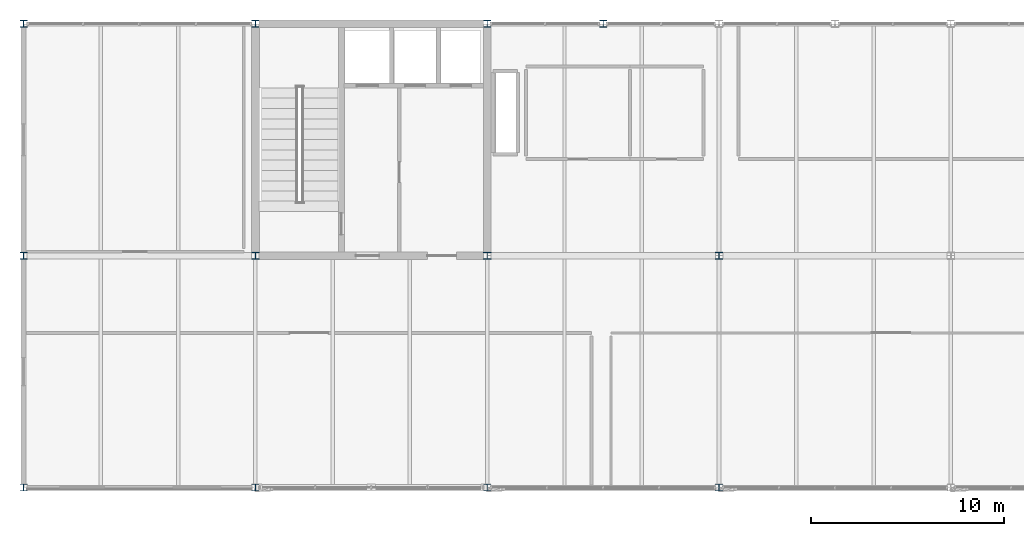
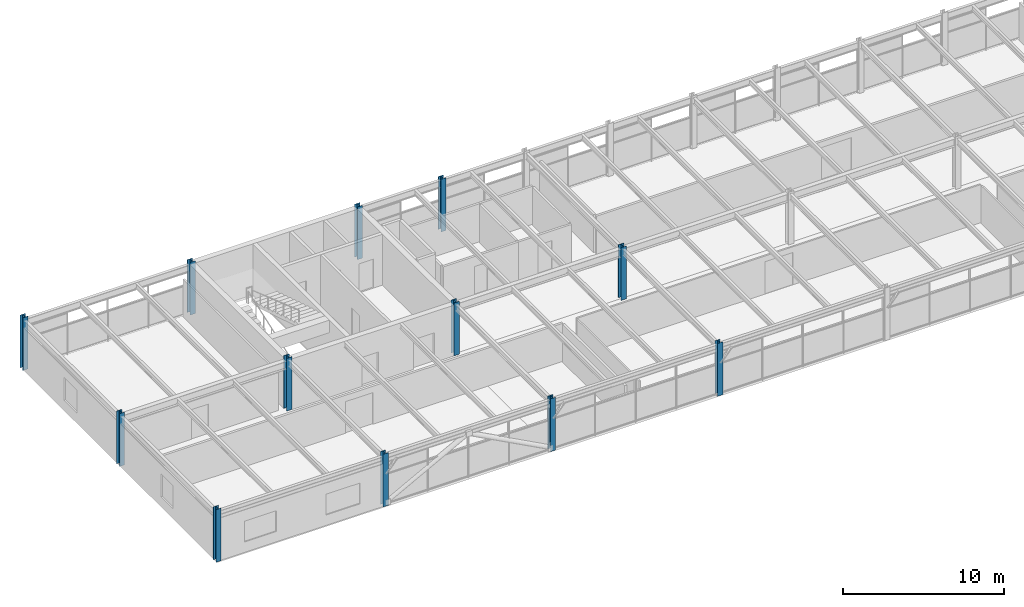
# One storey, part 1 of 40: 12 columns.
"""IFC4 building model written with IfcOpenShell, lengths in metres."""

from ifc_helpers import new_model, si_unit, direction, frame, origin, origin_2d, place, context, subcontext, project, spatial, i_section, extrude, material, material_profile, profile_set, type_object, element, save


model = new_model("IFC4")

# Units and contexts
model_context = context("Model", 3, precision=1e-05, world=origin(), true_north=direction((0.0, 1.0)))
body_context = subcontext(model_context, "Body", "Model", "MODEL_VIEW")
ifc_project = project(units=[si_unit("LENGTHUNIT", "METRE"), si_unit("AREAUNIT", "SQUARE_METRE"), si_unit("VOLUMEUNIT", "CUBIC_METRE"), si_unit("PLANEANGLEUNIT", "RADIAN"), si_unit("MASSUNIT", "GRAM", prefix="KILO")], contexts=[model_context])

# Site, building, storey
site_placement = place(None, origin())
site = spatial("IfcSite", under=ifc_project, at=site_placement, CompositionType="ELEMENT")
building_placement = place(site_placement, origin())
building = spatial("IfcBuilding", under=site, at=building_placement, Name="Girod Span Mobility Hub", CompositionType="ELEMENT")
storey_placement = place(building_placement, frame((0.0, 0.0, 57.60009765625)))
storey = spatial("IfcBuildingStorey", under=building, at=storey_placement, Name="L14", CompositionType="ELEMENT", Elevation=57.60009765625)

# Columns
ifc_material_1 = material(Name="Steel A992 Grade 50", Category="steel")
ifc_material_profile_1 = material_profile(ifc_material_1, i_section(OverallWidth=0.39404296875, OverallDepth=0.375, WebThickness=0.017333984375, FlangeThickness=0.027587890625, FilletRadius=0.01806640625, at=origin_2d()), Name="W14X145")
ifc_profile_set_1 = profile_set([ifc_material_profile_1], Name="Steel A992 Grade 50")
column_type_1 = type_object("IfcColumnType", Name="COL-STL-W14X145", PredefinedType="COLUMN", material=ifc_profile_set_1)
for number, where, z_axis, x_axis, name in (
    (1, (48.0, 57.0, 0.0), (0.0, 0.0, 1.0), (1.0, 0.0, 0.0), "Column 5E L14"),
    (2, (60.0, 57.0, 0.0), (0.0, 0.0, 1.0), (1.0, 0.0, 0.0), "Column 6E L14"),
    (3, (72.0, 57.0, 0.0), (0.0, 0.0, 1.0), (1.0, 0.0, 0.0), "Column 7E L14"),
):
    element("IfcColumn", number, at=place(storey_placement, frame(where, z_axis=z_axis, x_axis=x_axis)), inside=storey, type_object=column_type_1, Name=name, PredefinedType="COLUMN", context=body_context, shape_type="SweptSolid", body=[
        extrude(i_section(OverallWidth=0.39404296875, OverallDepth=0.375, WebThickness=0.017333984375, FlangeThickness=0.027587890625, FilletRadius=0.01806640625, at=origin_2d()), origin(), (0.0, 0.0, 1.0), 4.0),
    ])
ifc_material_2 = material(Name="Steel A992 Grade 50", Category="steel")
ifc_material_profile_2 = material_profile(ifc_material_2, i_section(OverallWidth=0.368896484375, OverallDepth=0.35595703125, WebThickness=0.01123046875, FlangeThickness=0.01806640625, FilletRadius=0.01806640625, at=origin_2d()), Name="W14X90")
ifc_profile_set_2 = profile_set([ifc_material_profile_2], Name="Steel A992 Grade 50")
column_type_2 = type_object("IfcColumnType", Name="COL-STL-W14X90", PredefinedType="COLUMN", material=ifc_profile_set_2)
for number, where, z_axis, x_axis, name in (
    (4, (36.0, 45.0, 0.0), (0.0, 0.0, 1.0), (1.0, 0.0, 0.0), "Column 4D L14"),
    (5, (36.0, 57.0, 0.0), (0.0, 0.0, 1.0), (1.0, 0.0, 0.0), "Column 4E L14"),
    (6, (36.0, 69.0, 0.0), (0.0, 0.0, 1.0), (1.0, 0.0, 0.0), "Column 4F L14"),
    (7, (48.0, 45.0, 0.0), (0.0, 0.0, 1.0), (1.0, 0.0, 0.0), "Column 5D L14"),
    (8, (48.0, 69.0, 0.0), (0.0, 0.0, 1.0), (1.0, 0.0, 0.0), "Column 5F L14"),
    (9, (60.0, 45.0, 0.0), (0.0, 0.0, 1.0), (1.0, 0.0, 0.0), "Column 6D L14"),
    (10, (60.0, 69.0, 0.0), (0.0, 0.0, 1.0), (1.0, 0.0, 0.0), "Column 6F L14"),
    (11, (72.0, 45.0, 0.0), (0.0, 0.0, 1.0), (1.0, 0.0, 0.0), "Column 7D L14"),
    (12, (66.0, 69.0, 0.0), (0.0, 0.0, 1.0), (1.0, 0.0, 0.0), "Facade Intermediate Column INT-1 L14"),
):
    element("IfcColumn", number, at=place(storey_placement, frame(where, z_axis=z_axis, x_axis=x_axis)), inside=storey, type_object=column_type_2, Name=name, PredefinedType="COLUMN", context=body_context, shape_type="SweptSolid", body=[
        extrude(i_section(OverallWidth=0.368896484375, OverallDepth=0.35595703125, WebThickness=0.01123046875, FlangeThickness=0.01806640625, FilletRadius=0.01806640625, at=origin_2d()), origin(), (0.0, 0.0, 1.0), 4.0),
    ])

save(model, "model.ifc")
